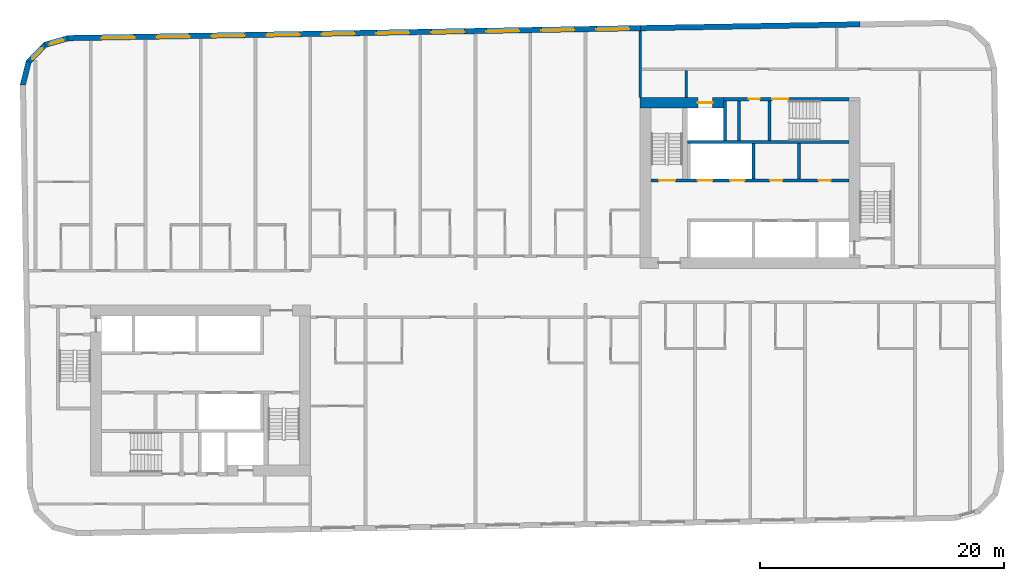
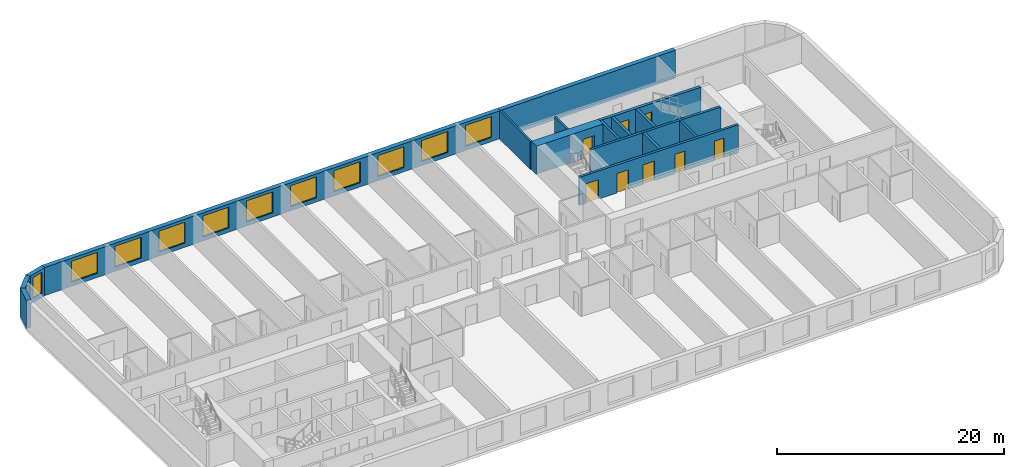
# One storey, part 6 of 11: 16 walls, 12 windows, 8 doors, 20 openings.
"""IFC4 building model written with IfcOpenShell, lengths in metres."""

import ifcopenshell
import ifcopenshell.guid

model = None  # the IFC model being written
_history = None  # IfcOwnerHistory: only IFC2X3 demands one
_inside = {}  # id of a spatial element -> (the spatial element, [elements in it])
_under = {}  # id of a project, library or spatial element -> (it, [spatial elements below it])
_declared = {}  # id of a project -> (the project, [libraries it declares])
_typed = {}  # id of a type object -> (the type object, [elements of that type])
_made_of = {}  # id of a material, layer set ... -> (it, [elements and type objects made of it])


def new_model(schema):
    """Start an empty IFC model of exactly this schema.

    Asked for "IFC4X3", IfcOpenShell would pick the latest addendum, in which some entities
    have other attributes; the version numbers below select the first issue.
    IFC2X3 requires an IfcOwnerHistory on every rooted entity: one is made here for all.
    """
    global model, _history
    if schema == "IFC4X3":
        model = ifcopenshell.file(schema_version=(4, 3, 0, 0))
    else:
        model = ifcopenshell.file(schema=schema)
    _inside.clear()
    _under.clear()
    _declared.clear()
    _typed.clear()
    _made_of.clear()
    _history = None
    if model.schema == "IFC2X3":
        org = make("IfcOrganization", Name="unknown")
        user = make(
            "IfcPersonAndOrganization",
            ThePerson=make("IfcPerson", FamilyName="unknown"),
            TheOrganization=org,
        )
        app = make(
            "IfcApplication",
            ApplicationDeveloper=org,
            Version="unknown",
            ApplicationFullName="unknown",
            ApplicationIdentifier="unknown",
        )
        _history = make(
            "IfcOwnerHistory",
            OwningUser=user,
            OwningApplication=app,
            ChangeAction="ADDED",
            CreationDate=0,
        )
    return model


def make(cls, **values):
    """One entity of the class cls with the attributes given. An attribute that is None is left unset."""
    return model.create_entity(
        cls, **{name: value for name, value in values.items() if value is not None}
    )


def rooted(cls, **values):
    """An entity with a GlobalId (a new one), such as an element, a storey or a relation."""
    return make(cls, GlobalId=ifcopenshell.guid.new(), OwnerHistory=_history, **values)


def si_unit(unit_type, name, prefix=None):
    """IfcSIUnit, for example si_unit("LENGTHUNIT", "METRE", prefix="MILLI")."""
    return make("IfcSIUnit", UnitType=unit_type, Prefix=prefix, Name=name)


def assignment(units):
    """IfcUnitAssignment: the units of a project."""
    return None if units is None else make("IfcUnitAssignment", Units=units)


def point(xyz):
    """IfcCartesianPoint."""
    return None if xyz is None else make("IfcCartesianPoint", Coordinates=xyz)


def direction(xyz):
    """IfcDirection."""
    return None if xyz is None else make("IfcDirection", DirectionRatios=xyz)


def frame(location, z_axis=None, x_axis=None):
    """IfcAxis2Placement3D, a coordinate frame: its origin and axes. An axis left out is left unset."""
    return make(
        "IfcAxis2Placement3D",
        Location=point(location),
        Axis=direction(z_axis),
        RefDirection=direction(x_axis),
    )


def frame_2d(location, x_axis=None):
    """IfcAxis2Placement2D, a coordinate frame in the plane: its origin and x axis."""
    return make(
        "IfcAxis2Placement2D", Location=point(location), RefDirection=direction(x_axis)
    )


def origin():
    """The frame at (0, 0, 0) with its axes left unset."""
    return frame((0.0, 0.0, 0.0))


def place(relative_to, where):
    """IfcLocalPlacement: puts the frame where relative to a parent placement (None: the world)."""
    return make(
        "IfcLocalPlacement", PlacementRelTo=relative_to, RelativePlacement=where
    )


def context(
    kind, dimensions, precision=None, world=None, true_north=None, identifier=None
):
    """IfcGeometricRepresentationContext, for example the 3D "Model" context."""
    return make(
        "IfcGeometricRepresentationContext",
        ContextIdentifier=identifier,
        ContextType=kind,
        CoordinateSpaceDimension=dimensions,
        Precision=precision,
        WorldCoordinateSystem=world,
        TrueNorth=true_north,
    )


def subcontext(parent, identifier, kind, view, scale=None):
    """IfcGeometricRepresentationSubContext, for example "Body" below "Model"."""
    return make(
        "IfcGeometricRepresentationSubContext",
        ContextIdentifier=identifier,
        ContextType=kind,
        ParentContext=parent,
        TargetScale=scale,
        TargetView=view,
    )


def project(units=None, contexts=None):
    """IfcProject with its units and contexts."""
    return rooted(
        "IfcProject",
        Name="project",
        RepresentationContexts=contexts,
        UnitsInContext=assignment(units),
    )


def spatial(cls, under=None, at=None, **own):
    """A site, building, storey or space (cls), placed at a placement, below another one or the project."""
    s = rooted(cls, ObjectPlacement=at, **own)
    if under is not None:
        _under.setdefault(under.id(), (under, []))[1].append(s)
    return s


def polyline(points):
    """IfcPolyline through the points."""
    return make("IfcPolyline", Points=[point(p) for p in points])


def profile(cls, at=None, kind="AREA", **sizes):
    """A parametric profile (cls). Its sizes go by their IFC names, for example OverallWidth=200.0."""
    return make(cls, ProfileType=kind, Position=at, **sizes)


def rectangle(**sizes):
    """IfcRectangleProfileDef."""
    return profile("IfcRectangleProfileDef", **sizes)


def outline(outer, holes=None, kind="AREA"):
    """IfcArbitraryClosedProfileDef: a profile drawn as a closed curve; with holes, ...WithVoids."""
    if holes is None:
        return make("IfcArbitraryClosedProfileDef", ProfileType=kind, OuterCurve=outer)
    return make(
        "IfcArbitraryProfileDefWithVoids",
        ProfileType=kind,
        OuterCurve=outer,
        InnerCurves=holes,
    )


def extrude(swept, where, along, depth):
    """IfcExtrudedAreaSolid: the profile swept, set in the frame where, extruded along a direction by depth."""
    return make(
        "IfcExtrudedAreaSolid",
        SweptArea=swept,
        Position=where,
        ExtrudedDirection=direction(along),
        Depth=depth,
    )


def shape(context_of_items, identifier, shape_type, items):
    """IfcShapeRepresentation: the items that make up one representation, for example the "Body"."""
    return make(
        "IfcShapeRepresentation",
        ContextOfItems=context_of_items,
        RepresentationIdentifier=identifier,
        RepresentationType=shape_type,
        Items=items,
    )


def material(Name=None, Category=None):
    """IfcMaterial."""
    return make("IfcMaterial", Name=Name, Category=Category)


def layer(
    of_material, thickness, ventilated=None, Name=None, Category=None, Priority=None
):
    """IfcMaterialLayer: one layer of a wall or slab, of a material (None: an air gap)."""
    return make(
        "IfcMaterialLayer",
        Material=of_material,
        LayerThickness=thickness,
        IsVentilated=ventilated,
        Name=Name,
        Category=Category,
        Priority=Priority,
    )


def layer_set(layers, Name=None):
    """IfcMaterialLayerSet."""
    return make("IfcMaterialLayerSet", MaterialLayers=layers, LayerSetName=Name)


def made_of(thing, what):
    """Note that an element or type object is made of a material, layer set ...; save() writes the relation."""
    if what is not None:
        _made_of.setdefault(what.id(), (what, []))[1].append(thing)
    return thing


def type_object(cls, material=None, **own):
    """A type object (cls), such as IfcWallType, which elements share."""
    return made_of(rooted(cls, **own), material)


def element(
    cls,
    number,
    at=None,
    inside=None,
    cuts=None,
    type_object=None,
    material=None,
    context=None,
    identifier="Body",
    shape_type=None,
    held_by="IfcProductDefinitionShape",
    body=None,
    shapes=None,
    **own,
):
    """One element of the class cls, such as IfcWall. Its Tag is "e" and its number.

    at: its placement. inside: the storey or other place that contains it. cuts: it is an
    opening in that element (IfcRelVoidsElement). A single representation is given by context,
    identifier, shape_type and body (its items); several are given by shapes. held_by: the class
    of the entity that holds the representations. save() writes the other relations.
    """
    e = rooted(cls, Tag="e%d" % number, ObjectPlacement=at, **own)
    if body is not None:
        shapes = [shape(context, identifier, shape_type, body)]
    if shapes is not None:
        e.Representation = make(held_by, Representations=shapes)
    if inside is not None:
        _inside.setdefault(inside.id(), (inside, []))[1].append(e)
    if cuts is not None:
        rooted(
            "IfcRelVoidsElement", RelatingBuildingElement=cuts, RelatedOpeningElement=e
        )
    if type_object is not None:
        _typed.setdefault(type_object.id(), (type_object, []))[1].append(e)
    return made_of(e, material)


def fill(opening, filler):
    """IfcRelFillsElement: the door or window that sits in an opening."""
    return rooted(
        "IfcRelFillsElement",
        RelatingOpeningElement=opening,
        RelatedBuildingElement=filler,
    )


def aggregate(whole, parts):
    """IfcRelAggregates: a whole, such as a stair, and the parts it consists of."""
    return rooted("IfcRelAggregates", RelatingObject=whole, RelatedObjects=parts)


def save(model, path):
    """Write the relations noted so far, then the file.

    IfcRelAggregates (storeys below a building ...), IfcRelContainedInSpatialStructure (elements
    in a storey), IfcRelDefinesByType, IfcRelAssociatesMaterial and IfcRelDeclares: one each for
    every whole, place, type object, material and project.
    """
    for whole, parts in _under.values():
        aggregate(whole, parts)
    for where, things in _inside.values():
        rooted(
            "IfcRelContainedInSpatialStructure",
            RelatedElements=things,
            RelatingStructure=where,
        )
    for kind, things in _typed.values():
        rooted("IfcRelDefinesByType", RelatedObjects=things, RelatingType=kind)
    for what, things in _made_of.values():
        rooted("IfcRelAssociatesMaterial", RelatedObjects=things, RelatingMaterial=what)
    for by, libraries in _declared.values():
        rooted("IfcRelDeclares", RelatingContext=by, RelatedDefinitions=libraries)
    model.write(path)


model = new_model("IFC4")

# Units and contexts
model_context = context("Model", 3, precision=1e-05, world=origin(), true_north=direction((0.0, 1.0)))
body_context = subcontext(model_context, "Body", "Model", "MODEL_VIEW")
ifc_project = project(units=[si_unit("LENGTHUNIT", "METRE"), si_unit("AREAUNIT", "SQUARE_METRE"), si_unit("VOLUMEUNIT", "CUBIC_METRE"), si_unit("PLANEANGLEUNIT", "RADIAN"), si_unit("MASSUNIT", "GRAM", prefix="KILO")], contexts=[model_context])

# Site, building, storey
site_placement = place(None, origin())
site = spatial("IfcSite", under=ifc_project, at=site_placement, CompositionType="ELEMENT")
building_placement = place(site_placement, origin())
building = spatial("IfcBuilding", under=site, at=building_placement, Name="Kajstack Hotel Tower", CompositionType="ELEMENT")
storey_placement = place(building_placement, frame((0.0, 0.0, 240.800048828125)))
storey = spatial("IfcBuildingStorey", under=building, at=storey_placement, Name="L59", CompositionType="ELEMENT", Elevation=240.800048828125)

# Wall, opening, door
ifc_material_1 = material(Name="Concrete C60/75", Category="concrete")
ifc_layer_1 = layer(ifc_material_1, 0.89990234375)
ifc_layer_set_1 = layer_set([ifc_layer_1], Name="Core wall 900")
wall_type_1 = type_object("IfcWallType", Name="Core wall 900", PredefinedType="SHEAR", material=ifc_layer_set_1)
wall_1_placement = place(storey_placement, frame((13.5, 15.050048828125, 0.0), z_axis=(0.0, 0.0, 1.0), x_axis=(1.0, 0.0, 0.0)))
wall_1 = element("IfcWall", 1, at=wall_1_placement, inside=storey, type_object=wall_type_1, Name="Core wall E RS", PredefinedType="SHEAR", context=body_context, shape_type="SweptSolid", body=[
    extrude(rectangle(XDim=6.800048828125, YDim=0.89990234375, at=frame_2d((3.39990234375, 0.0))), origin(), (0.0, 0.0, 1.0), 3.02001953125),
])
opening_1_placement = place(wall_1_placement, frame((4.72509765625, 0.0, 0.0)))
opening_1 = element("IfcOpeningElement", 2, at=opening_1_placement, cuts=wall_1, Name="Opening LD-SV2", PredefinedType="OPENING", context=body_context, shape_type="SweptSolid", body=[
    extrude(rectangle(XDim=1.199951171875, YDim=2.10009765625, at=frame_2d((0.60009765625, 1.050048828125))), frame((0.0, 0.4599609375, 0.0), z_axis=(0.0, -1.0, 0.0), x_axis=(1.0, 0.0, 0.0)), (0.0, 0.0, 1.0), 0.919921875),
])
ifc_material_2 = material(Name="Stainless steel", Category="steel")
door_type_1 = type_object("IfcDoorType", Name="Lift landing door 1200", OperationType="SLIDING_TO_LEFT", PredefinedType="DOOR", material=ifc_material_2)
door_1_placement = place(opening_1_placement, origin())
door_1 = element("IfcDoor", 3, at=door_1_placement, inside=storey, type_object=door_type_1, Name="Landing door SV2", OperationType="SLIDING_TO_LEFT", OverallHeight=2.10009765625, OverallWidth=1.199951171875, PredefinedType="DOOR", context=body_context, shape_type="SweptSolid", body=[
    extrude(rectangle(XDim=1.199951171875, YDim=2.10009765625, at=frame_2d((0.60009765625, 1.050048828125))), frame((0.0, 0.02490234375, 0.0), z_axis=(0.0, -1.0, 0.0), x_axis=(1.0, 0.0, 0.0)), (0.0, 0.0, 1.0), 0.050048828125),
])
fill(opening_1, door_1)

# Walls
ifc_material_3 = material(Name="Twin-frame gypsum board on steel studs, mineral wool", Category="steel")
ifc_layer_2 = layer(ifc_material_3, 0.199951171875)
ifc_layer_set_2 = layer_set([ifc_layer_2], Name="Demising wall 200")
wall_type_2 = type_object("IfcWallType", Name="Demising wall 200", PredefinedType="PARTITIONING", material=ifc_layer_set_2)
wall_2_placement = place(storey_placement, frame((13.5, 15.5, 0.0), z_axis=(0.0, 0.0, 1.0), x_axis=(0.0, 1.0, 0.0)))
element("IfcWall", 4, at=wall_2_placement, inside=storey, type_object=wall_type_2, Name="G-wall-L59-001", PredefinedType="PARTITIONING", context=body_context, shape_type="SweptSolid", body=[
    extrude(rectangle(XDim=5.43603515625, YDim=0.199951171875, at=frame_2d((2.718017578125, 0.0))), origin(), (0.0, 0.0, 1.0), 3.02001953125),
])
ifc_material_4 = material(Name="Concrete C40/50", Category="concrete")
ifc_layer_3 = layer(ifc_material_4, 0.449951171875)
ifc_layer_set_3 = layer_set([ifc_layer_3], Name="EW-CORE")
wall_type_3 = type_object("IfcWallType", Name="EW-CORE", PredefinedType="SOLIDWALL", material=ifc_layer_set_3)
wall_3_placement = place(storey_placement, frame((31.50390625, 21.4755859375, 0.0), z_axis=(0.0, 0.0, 1.0), x_axis=(-0.999847677887, -0.017453395744, 0.0)))
element("IfcWall", 5, at=wall_3_placement, inside=storey, type_object=wall_type_3, Name="E-wall-L59-12-01", PredefinedType="SOLIDWALL", context=body_context, shape_type="SweptSolid", body=[
    extrude(rectangle(XDim=18.002685546875, YDim=0.449951171875, at=frame_2d((9.00146484375, 0.0))), origin(), (0.0, 0.0, 1.0), 3.02001953125),
])

# Wall, openings, windows
ifc_material_5 = material(Name="Terracotta-faced brick masonry", Category="masonry")
ifc_layer_4 = layer(ifc_material_5, 0.449951171875)
ifc_layer_set_4 = layer_set([ifc_layer_4], Name="EW-TERRA")
wall_type_4 = type_object("IfcWallType", Name="EW-TERRA", PredefinedType="SOLIDWALL", material=ifc_layer_set_4)
wall_4_placement = place(storey_placement, frame((13.50390625, 21.161376953125, 0.0), z_axis=(0.0, 0.0, 1.0), x_axis=(-0.999847763257, -0.017448504532, 0.0)))
wall_4 = element("IfcWall", 6, at=wall_4_placement, inside=storey, type_object=wall_type_4, Name="E-wall-L59-12-02", PredefinedType="SOLIDWALL", context=body_context, shape_type="SweptSolid", body=[
    extrude(rectangle(XDim=46.859375, YDim=0.449951171875, at=frame_2d((23.4296875, 0.0))), origin(), (0.0, 0.0, 1.0), 3.02001953125),
])
opening_2_placement = place(wall_4_placement, frame((0.900390625, 0.0, 0.449951171875)))
opening_2 = element("IfcOpeningElement", 7, at=opening_2_placement, cuts=wall_4, Name="Opening W1", PredefinedType="OPENING", context=body_context, shape_type="SweptSolid", body=[
    extrude(rectangle(XDim=2.699951171875, YDim=2.25, at=frame_2d((1.35009765625, 1.125))), frame((0.0, 0.23486328125, 0.0), z_axis=(0.0, -1.0, 0.0), x_axis=(1.0, 0.0, 0.0)), (0.0, 0.0, 1.0), 0.469970703125),
])
opening_3_placement = place(wall_4_placement, frame((5.401123046875, 0.0, 0.449951171875)))
opening_3 = element("IfcOpeningElement", 8, at=opening_3_placement, cuts=wall_4, Name="Opening W1", PredefinedType="OPENING", context=body_context, shape_type="SweptSolid", body=[
    extrude(rectangle(XDim=2.699951171875, YDim=2.25, at=frame_2d((1.35009765625, 1.125))), frame((0.0, 0.23486328125, 0.0), z_axis=(0.0, -1.0, 0.0), x_axis=(1.0, 0.0, 0.0)), (0.0, 0.0, 1.0), 0.469970703125),
])
opening_4_placement = place(wall_4_placement, frame((9.90185546875, 0.0, 0.449951171875)))
opening_4 = element("IfcOpeningElement", 9, at=opening_4_placement, cuts=wall_4, Name="Opening W1", PredefinedType="OPENING", context=body_context, shape_type="SweptSolid", body=[
    extrude(rectangle(XDim=2.699951171875, YDim=2.25, at=frame_2d((1.35009765625, 1.125))), frame((0.0, 0.23486328125, 0.0), z_axis=(0.0, -1.0, 0.0), x_axis=(1.0, 0.0, 0.0)), (0.0, 0.0, 1.0), 0.469970703125),
])
opening_5_placement = place(wall_4_placement, frame((14.40234375, 0.0, 0.449951171875)))
opening_5 = element("IfcOpeningElement", 10, at=opening_5_placement, cuts=wall_4, Name="Opening W1", PredefinedType="OPENING", context=body_context, shape_type="SweptSolid", body=[
    extrude(rectangle(XDim=2.699951171875, YDim=2.25, at=frame_2d((1.35009765625, 1.125))), frame((0.0, 0.23486328125, 0.0), z_axis=(0.0, -1.0, 0.0), x_axis=(1.0, 0.0, 0.0)), (0.0, 0.0, 1.0), 0.469970703125),
])
opening_6_placement = place(wall_4_placement, frame((18.9033203125, 0.0, 0.449951171875)))
opening_6 = element("IfcOpeningElement", 11, at=opening_6_placement, cuts=wall_4, Name="Opening W1", PredefinedType="OPENING", context=body_context, shape_type="SweptSolid", body=[
    extrude(rectangle(XDim=2.699951171875, YDim=2.25, at=frame_2d((1.35009765625, 1.125))), frame((0.0, 0.23486328125, 0.0), z_axis=(0.0, -1.0, 0.0), x_axis=(1.0, 0.0, 0.0)), (0.0, 0.0, 1.0), 0.469970703125),
])
opening_7_placement = place(wall_4_placement, frame((23.40380859375, 0.0, 0.449951171875)))
opening_7 = element("IfcOpeningElement", 12, at=opening_7_placement, cuts=wall_4, Name="Opening W1", PredefinedType="OPENING", context=body_context, shape_type="SweptSolid", body=[
    extrude(rectangle(XDim=2.699951171875, YDim=2.25, at=frame_2d((1.35009765625, 1.125))), frame((0.0, 0.23486328125, 0.0), z_axis=(0.0, -1.0, 0.0), x_axis=(1.0, 0.0, 0.0)), (0.0, 0.0, 1.0), 0.469970703125),
])
opening_8_placement = place(wall_4_placement, frame((27.904296875, 0.0, 0.449951171875)))
opening_8 = element("IfcOpeningElement", 13, at=opening_8_placement, cuts=wall_4, Name="Opening W1", PredefinedType="OPENING", context=body_context, shape_type="SweptSolid", body=[
    extrude(rectangle(XDim=2.699951171875, YDim=2.25, at=frame_2d((1.35009765625, 1.125))), frame((0.0, 0.23486328125, 0.0), z_axis=(0.0, -1.0, 0.0), x_axis=(1.0, 0.0, 0.0)), (0.0, 0.0, 1.0), 0.469970703125),
])
opening_9_placement = place(wall_4_placement, frame((32.4052734375, 0.0, 0.449951171875)))
opening_9 = element("IfcOpeningElement", 14, at=opening_9_placement, cuts=wall_4, Name="Opening W1", PredefinedType="OPENING", context=body_context, shape_type="SweptSolid", body=[
    extrude(rectangle(XDim=2.699951171875, YDim=2.25, at=frame_2d((1.35009765625, 1.125))), frame((0.0, 0.23486328125, 0.0), z_axis=(0.0, -1.0, 0.0), x_axis=(1.0, 0.0, 0.0)), (0.0, 0.0, 1.0), 0.469970703125),
])
opening_10_placement = place(wall_4_placement, frame((36.906005859375, 0.0, 0.449951171875)))
opening_10 = element("IfcOpeningElement", 15, at=opening_10_placement, cuts=wall_4, Name="Opening W1", PredefinedType="OPENING", context=body_context, shape_type="SweptSolid", body=[
    extrude(rectangle(XDim=2.699951171875, YDim=2.25, at=frame_2d((1.35009765625, 1.125))), frame((0.0, 0.23486328125, 0.0), z_axis=(0.0, -1.0, 0.0), x_axis=(1.0, 0.0, 0.0)), (0.0, 0.0, 1.0), 0.469970703125),
])
opening_11_placement = place(wall_4_placement, frame((41.406494140625, 0.0, 0.449951171875)))
opening_11 = element("IfcOpeningElement", 16, at=opening_11_placement, cuts=wall_4, Name="Opening W1", PredefinedType="OPENING", context=body_context, shape_type="SweptSolid", body=[
    extrude(rectangle(XDim=2.699951171875, YDim=2.25, at=frame_2d((1.35009765625, 1.125))), frame((0.0, 0.23486328125, 0.0), z_axis=(0.0, -1.0, 0.0), x_axis=(1.0, 0.0, 0.0)), (0.0, 0.0, 1.0), 0.469970703125),
])
ifc_material_6 = material(Name="Timber-aluminium window, triple glazed", Category="wood")
window_type_1 = type_object("IfcWindowType", Name="WG1", PartitioningType="SINGLE_PANEL", PredefinedType="WINDOW", material=ifc_material_6)
window_1_placement = place(opening_2_placement, origin())
window_1 = element("IfcWindow", 17, at=window_1_placement, inside=storey, type_object=window_type_1, Name="Window W1 L59-12", OverallHeight=2.25, OverallWidth=2.699951171875, PartitioningType="SINGLE_PANEL", PredefinedType="WINDOW", context=body_context, shape_type="SweptSolid", body=[
    extrude(rectangle(XDim=2.699951171875, YDim=2.25, at=frame_2d((1.35009765625, 1.125))), frame((0.0, 0.090087890625, 0.0), z_axis=(0.0, -1.0, 0.0), x_axis=(1.0, 0.0, 0.0)), (0.0, 0.0, 1.0), 0.06005859375),
])
fill(opening_2, window_1)
window_2_placement = place(opening_3_placement, origin())
window_2 = element("IfcWindow", 18, at=window_2_placement, inside=storey, type_object=window_type_1, Name="Window W1 L59-12", OverallHeight=2.25, OverallWidth=2.699951171875, PartitioningType="SINGLE_PANEL", PredefinedType="WINDOW", context=body_context, shape_type="SweptSolid", body=[
    extrude(rectangle(XDim=2.699951171875, YDim=2.25, at=frame_2d((1.35009765625, 1.125))), frame((0.0, 0.090087890625, 0.0), z_axis=(0.0, -1.0, 0.0), x_axis=(1.0, 0.0, 0.0)), (0.0, 0.0, 1.0), 0.06005859375),
])
fill(opening_3, window_2)
window_3_placement = place(opening_4_placement, origin())
window_3 = element("IfcWindow", 19, at=window_3_placement, inside=storey, type_object=window_type_1, Name="Window W1 L59-12", OverallHeight=2.25, OverallWidth=2.699951171875, PartitioningType="SINGLE_PANEL", PredefinedType="WINDOW", context=body_context, shape_type="SweptSolid", body=[
    extrude(rectangle(XDim=2.699951171875, YDim=2.25, at=frame_2d((1.35009765625, 1.125))), frame((0.0, 0.090087890625, 0.0), z_axis=(0.0, -1.0, 0.0), x_axis=(1.0, 0.0, 0.0)), (0.0, 0.0, 1.0), 0.06005859375),
])
fill(opening_4, window_3)
window_4_placement = place(opening_5_placement, origin())
window_4 = element("IfcWindow", 20, at=window_4_placement, inside=storey, type_object=window_type_1, Name="Window W1 L59-12", OverallHeight=2.25, OverallWidth=2.699951171875, PartitioningType="SINGLE_PANEL", PredefinedType="WINDOW", context=body_context, shape_type="SweptSolid", body=[
    extrude(rectangle(XDim=2.699951171875, YDim=2.25, at=frame_2d((1.35009765625, 1.125))), frame((0.0, 0.090087890625, 0.0), z_axis=(0.0, -1.0, 0.0), x_axis=(1.0, 0.0, 0.0)), (0.0, 0.0, 1.0), 0.06005859375),
])
fill(opening_5, window_4)
window_5_placement = place(opening_6_placement, origin())
window_5 = element("IfcWindow", 21, at=window_5_placement, inside=storey, type_object=window_type_1, Name="Window W1 L59-12", OverallHeight=2.25, OverallWidth=2.699951171875, PartitioningType="SINGLE_PANEL", PredefinedType="WINDOW", context=body_context, shape_type="SweptSolid", body=[
    extrude(rectangle(XDim=2.699951171875, YDim=2.25, at=frame_2d((1.35009765625, 1.125))), frame((0.0, 0.090087890625, 0.0), z_axis=(0.0, -1.0, 0.0), x_axis=(1.0, 0.0, 0.0)), (0.0, 0.0, 1.0), 0.06005859375),
])
fill(opening_6, window_5)
window_6_placement = place(opening_7_placement, origin())
window_6 = element("IfcWindow", 22, at=window_6_placement, inside=storey, type_object=window_type_1, Name="Window W1 L59-12", OverallHeight=2.25, OverallWidth=2.699951171875, PartitioningType="SINGLE_PANEL", PredefinedType="WINDOW", context=body_context, shape_type="SweptSolid", body=[
    extrude(rectangle(XDim=2.699951171875, YDim=2.25, at=frame_2d((1.35009765625, 1.125))), frame((0.0, 0.090087890625, 0.0), z_axis=(0.0, -1.0, 0.0), x_axis=(1.0, 0.0, 0.0)), (0.0, 0.0, 1.0), 0.06005859375),
])
fill(opening_7, window_6)
window_7_placement = place(opening_8_placement, origin())
window_7 = element("IfcWindow", 23, at=window_7_placement, inside=storey, type_object=window_type_1, Name="Window W1 L59-12", OverallHeight=2.25, OverallWidth=2.699951171875, PartitioningType="SINGLE_PANEL", PredefinedType="WINDOW", context=body_context, shape_type="SweptSolid", body=[
    extrude(rectangle(XDim=2.699951171875, YDim=2.25, at=frame_2d((1.35009765625, 1.125))), frame((0.0, 0.090087890625, 0.0), z_axis=(0.0, -1.0, 0.0), x_axis=(1.0, 0.0, 0.0)), (0.0, 0.0, 1.0), 0.06005859375),
])
fill(opening_8, window_7)
window_8_placement = place(opening_9_placement, origin())
window_8 = element("IfcWindow", 24, at=window_8_placement, inside=storey, type_object=window_type_1, Name="Window W1 L59-12", OverallHeight=2.25, OverallWidth=2.699951171875, PartitioningType="SINGLE_PANEL", PredefinedType="WINDOW", context=body_context, shape_type="SweptSolid", body=[
    extrude(rectangle(XDim=2.699951171875, YDim=2.25, at=frame_2d((1.35009765625, 1.125))), frame((0.0, 0.090087890625, 0.0), z_axis=(0.0, -1.0, 0.0), x_axis=(1.0, 0.0, 0.0)), (0.0, 0.0, 1.0), 0.06005859375),
])
fill(opening_9, window_8)
window_9_placement = place(opening_10_placement, origin())
window_9 = element("IfcWindow", 25, at=window_9_placement, inside=storey, type_object=window_type_1, Name="Window W1 L59-12", OverallHeight=2.25, OverallWidth=2.699951171875, PartitioningType="SINGLE_PANEL", PredefinedType="WINDOW", context=body_context, shape_type="SweptSolid", body=[
    extrude(rectangle(XDim=2.699951171875, YDim=2.25, at=frame_2d((1.35009765625, 1.125))), frame((0.0, 0.090087890625, 0.0), z_axis=(0.0, -1.0, 0.0), x_axis=(1.0, 0.0, 0.0)), (0.0, 0.0, 1.0), 0.06005859375),
])
fill(opening_10, window_9)
window_10_placement = place(opening_11_placement, origin())
window_10 = element("IfcWindow", 26, at=window_10_placement, inside=storey, type_object=window_type_1, Name="Window W1 L59-12", OverallHeight=2.25, OverallWidth=2.699951171875, PartitioningType="SINGLE_PANEL", PredefinedType="WINDOW", context=body_context, shape_type="SweptSolid", body=[
    extrude(rectangle(XDim=2.699951171875, YDim=2.25, at=frame_2d((1.35009765625, 1.125))), frame((0.0, 0.090087890625, 0.0), z_axis=(0.0, -1.0, 0.0), x_axis=(1.0, 0.0, 0.0)), (0.0, 0.0, 1.0), 0.06005859375),
])
fill(opening_11, window_10)

# Wall, opening, window
wall_5_placement = place(storey_placement, frame((-33.290283203125, 20.352294921875, 0.0), z_axis=(0.0, 0.0, 1.0), x_axis=(-0.961247584925, -0.275686562016, 0.0)))
wall_5 = element("IfcWall", 27, at=wall_5_placement, inside=storey, type_object=wall_type_4, Name="E-wall-L59-13-00", PredefinedType="SOLIDWALL", context=body_context, shape_type="SweptSolid", body=[
    extrude(outline(polyline([(0.0, -0.22509765625), (2.070556640625, -0.22509765625), (1.949951171875, 0.224853515625), (0.12060546875, 0.224853515625), (0.0, -0.22509765625)])), origin(), (0.0, 0.0, 1.0), 3.02001953125),
])
opening_12_placement = place(wall_5_placement, frame((0.435302734375, 0.0, 0.449951171875)))
opening_12 = element("IfcOpeningElement", 28, at=opening_12_placement, cuts=wall_5, Name="Opening W3", PredefinedType="OPENING", context=body_context, shape_type="SweptSolid", body=[
    extrude(rectangle(XDim=1.199951171875, YDim=2.25, at=frame_2d((0.60009765625, 1.125))), frame((0.0, 0.23486328125, 0.0), z_axis=(0.0, -1.0, 0.0), x_axis=(1.0, 0.0, 0.0)), (0.0, 0.0, 1.0), 0.469970703125),
])
window_type_2 = type_object("IfcWindowType", Name="WG3", PartitioningType="SINGLE_PANEL", PredefinedType="WINDOW", material=ifc_material_6)
window_11_placement = place(opening_12_placement, origin())
window_11 = element("IfcWindow", 29, at=window_11_placement, inside=storey, type_object=window_type_2, Name="Window W3 L59-13", OverallHeight=2.25, OverallWidth=1.199951171875, PartitioningType="SINGLE_PANEL", PredefinedType="WINDOW", context=body_context, shape_type="SweptSolid", body=[
    extrude(rectangle(XDim=1.199951171875, YDim=2.25, at=frame_2d((0.60009765625, 1.125))), frame((0.0, 0.090087890625, 0.0), z_axis=(0.0, -1.0, 0.0), x_axis=(1.0, 0.0, 0.0)), (0.0, 0.0, 1.0), 0.06005859375),
])
fill(opening_12, window_11)

wall_6_placement = place(storey_placement, frame((-35.1806640625, 19.841552734375, 0.0), z_axis=(0.0, 0.0, 1.0), x_axis=(-0.694678672846, -0.719320193998, 0.0)))
wall_6 = element("IfcWall", 30, at=wall_6_placement, inside=storey, type_object=wall_type_4, Name="E-wall-L59-14-00", PredefinedType="SOLIDWALL", context=body_context, shape_type="SweptSolid", body=[
    extrude(outline(polyline([(0.0, -0.22509765625), (2.07080078125, -0.22509765625), (1.9501953125, 0.224853515625), (0.12060546875, 0.224853515625), (0.0, -0.22509765625)])), origin(), (0.0, 0.0, 1.0), 3.02001953125),
])
opening_13_placement = place(wall_6_placement, frame((0.435302734375, 0.0, 0.449951171875)))
opening_13 = element("IfcOpeningElement", 31, at=opening_13_placement, cuts=wall_6, Name="Opening W3", PredefinedType="OPENING", context=body_context, shape_type="SweptSolid", body=[
    extrude(rectangle(XDim=1.199951171875, YDim=2.25, at=frame_2d((0.60009765625, 1.125))), frame((0.0, 0.23486328125, 0.0), z_axis=(0.0, -1.0, 0.0), x_axis=(1.0, 0.0, 0.0)), (0.0, 0.0, 1.0), 0.469970703125),
])
window_12_placement = place(opening_13_placement, origin())
window_12 = element("IfcWindow", 32, at=window_12_placement, inside=storey, type_object=window_type_2, Name="Window W3 L59-14", OverallHeight=2.25, OverallWidth=1.199951171875, PartitioningType="SINGLE_PANEL", PredefinedType="WINDOW", context=body_context, shape_type="SweptSolid", body=[
    extrude(rectangle(XDim=1.199951171875, YDim=2.25, at=frame_2d((0.60009765625, 1.125))), frame((0.0, 0.090087890625, 0.0), z_axis=(0.0, -1.0, 0.0), x_axis=(1.0, 0.0, 0.0)), (0.0, 0.0, 1.0), 0.06005859375),
])
fill(opening_13, window_12)

# Walls
wall_7_placement = place(storey_placement, frame((-36.562744140625, 18.453857421875, 0.0), z_axis=(0.0, 0.0, 1.0), x_axis=(-0.241869623482, -0.970308757683, 0.0)))
element("IfcWall", 33, at=wall_7_placement, inside=storey, type_object=wall_type_4, Name="E-wall-L59-15-00", PredefinedType="SOLIDWALL", context=body_context, shape_type="SweptSolid", body=[
    extrude(outline(polyline([(-0.000244140625, -0.224853515625), (2.0703125, -0.22509765625), (1.94970703125, 0.224853515625), (0.120361328125, 0.22509765625), (-0.000244140625, -0.224853515625)])), origin(), (0.0, 0.0, 1.0), 3.02001953125),
])
ifc_material_7 = material(Name="Concrete C50/60", Category="concrete")
ifc_layer_5 = layer(ifc_material_7, 0.300048828125)
ifc_layer_set_5 = layer_set([ifc_layer_5], Name="Hoistway divider wall 300")
wall_type_5 = type_object("IfcWallType", Name="Hoistway divider wall 300", PredefinedType="SHEAR", material=ifc_layer_set_5)
wall_8_placement = place(storey_placement, frame((22.77490234375, 8.800048828125, 0.0), z_axis=(0.0, 0.0, 1.0), x_axis=(0.0, 1.0, 0.0)))
element("IfcWall", 34, at=wall_8_placement, inside=storey, type_object=wall_type_5, Name="Core wall E BP2", PredefinedType="SHEAR", context=body_context, shape_type="SweptSolid", body=[
    extrude(rectangle(XDim=2.89990234375, YDim=0.25, at=frame_2d((1.449951171875, 0.0))), origin(), (0.0, 0.0, 1.0), 3.02001953125),
])
ifc_material_8 = material(Name="Concrete block masonry", Category="masonry")
ifc_layer_6 = layer(ifc_material_8, 0.25)
ifc_layer_set_6 = layer_set([ifc_layer_6], Name="Riser partition 250")
wall_type_6 = type_object("IfcWallType", Name="Riser partition 250", PredefinedType="PARTITIONING", material=ifc_layer_set_6)
wall_9_placement = place(storey_placement, frame((26.5, 8.800048828125, 0.0), z_axis=(0.0, 0.0, 1.0), x_axis=(0.0, 1.0, 0.0)))
element("IfcWall", 35, at=wall_9_placement, inside=storey, type_object=wall_type_6, Name="Partition E BF0", PredefinedType="PARTITIONING", context=body_context, shape_type="SweptSolid", body=[
    extrude(rectangle(XDim=2.89990234375, YDim=0.25, at=frame_2d((1.449951171875, 0.0))), origin(), (0.0, 0.0, 1.0), 3.02001953125),
])
wall_10_placement = place(storey_placement, frame((21.60009765625, 11.949951171875, 0.0), z_axis=(0.0, 0.0, 1.0), x_axis=(0.0, 1.0, 0.0)))
element("IfcWall", 36, at=wall_10_placement, inside=storey, type_object=wall_type_6, Name="Partition E SZ0", PredefinedType="PARTITIONING", context=body_context, shape_type="SweptSolid", body=[
    extrude(rectangle(XDim=3.25, YDim=0.25, at=frame_2d((1.625, 0.0))), origin(), (0.0, 0.0, 1.0), 3.02001953125),
])
ifc_material_9 = material(Name="Gypsum board on steel studs, mineral wool", Category="steel")
ifc_layer_7 = layer(ifc_material_9, 0.199951171875)
ifc_layer_set_7 = layer_set([ifc_layer_7], Name="Service partition 200")
wall_type_7 = type_object("IfcWallType", Name="Service partition 200", PredefinedType="PARTITIONING", material=ifc_layer_set_7)
wall_11_placement = place(storey_placement, frame((17.25, 15.5, 0.0), z_axis=(0.0, 0.0, 1.0), x_axis=(0.0, 1.0, 0.0)))
element("IfcWall", 37, at=wall_11_placement, inside=storey, type_object=wall_type_7, Name="Partition E SCE", PredefinedType="PARTITIONING", context=body_context, shape_type="SweptSolid", body=[
    extrude(rectangle(XDim=2.199951171875, YDim=0.199951171875, at=frame_2d((1.10009765625, 0.0))), origin(), (0.0, 0.0, 1.0), 3.02001953125),
])

# Wall, openings, doors
ifc_layer_8 = layer(ifc_material_7, 0.25)
ifc_layer_set_8 = layer_set([ifc_layer_8], Name="Shaft wall 250")
wall_type_8 = type_object("IfcWallType", Name="Shaft wall 250", PredefinedType="SHEAR", material=ifc_layer_set_8)
wall_12_placement = place(storey_placement, frame((20.300048828125, 15.35009765625, 0.0), z_axis=(0.0, 0.0, 1.0), x_axis=(1.0, 0.0, 0.0)))
wall_12 = element("IfcWall", 38, at=wall_12_placement, inside=storey, type_object=wall_type_8, Name="Core wall E RSS", PredefinedType="SHEAR", context=body_context, shape_type="SweptSolid", body=[
    extrude(rectangle(XDim=10.300048828125, YDim=0.300048828125, at=frame_2d((5.14990234375, 0.0))), origin(), (0.0, 0.0, 1.0), 3.02001953125),
])
opening_14_placement = place(wall_12_placement, frame((4.0, 0.0, 0.0)))
opening_14 = element("IfcOpeningElement", 39, at=opening_14_placement, cuts=wall_12, Name="Opening 59E12", PredefinedType="OPENING", context=body_context, shape_type="SweptSolid", body=[
    extrude(rectangle(XDim=1.300048828125, YDim=2.10009765625, at=frame_2d((0.64990234375, 1.050048828125))), frame((0.0, 0.159912109375, 0.0), z_axis=(0.0, -1.0, 0.0), x_axis=(1.0, 0.0, 0.0)), (0.0, 0.0, 1.0), 0.320068359375),
])
opening_15_placement = place(wall_12_placement, frame((2.08740234375, 0.0, 0.0)))
opening_15 = element("IfcOpeningElement", 40, at=opening_15_placement, cuts=wall_12, Name="Opening 59E13", PredefinedType="OPENING", context=body_context, shape_type="SweptSolid", body=[
    extrude(rectangle(XDim=0.89990234375, YDim=2.10009765625, at=frame_2d((0.449951171875, 1.050048828125))), frame((0.0, 0.159912109375, 0.0), z_axis=(0.0, -1.0, 0.0), x_axis=(1.0, 0.0, 0.0)), (0.0, 0.0, 1.0), 0.320068359375),
])
ifc_material_10 = material(Name="Timber leaf, fire-rated", Category="wood")
door_type_2 = type_object("IfcDoorType", Name="Service door 900", OperationType="SINGLE_SWING_LEFT", PredefinedType="DOOR", material=ifc_material_10)
door_2_placement = place(opening_15_placement, origin())
door_2 = element("IfcDoor", 41, at=door_2_placement, inside=storey, type_object=door_type_2, Name="Door 59E13", OperationType="SINGLE_SWING_RIGHT", OverallHeight=2.10009765625, OverallWidth=0.89990234375, PredefinedType="DOOR", context=body_context, shape_type="SweptSolid", body=[
    extrude(rectangle(XDim=0.89990234375, YDim=2.10009765625, at=frame_2d((0.449951171875, 1.050048828125))), frame((0.0, 0.02490234375, 0.0), z_axis=(0.0, -1.0, 0.0), x_axis=(1.0, 0.0, 0.0)), (0.0, 0.0, 1.0), 0.050048828125),
])
fill(opening_15, door_2)
ifc_material_11 = material(Name="Steel leaf, fire-rated", Category="steel")
door_type_3 = type_object("IfcDoorType", Name="Stair door 1300", OperationType="SINGLE_SWING_LEFT", PredefinedType="DOOR", material=ifc_material_11)
door_3_placement = place(opening_14_placement, origin())
door_3 = element("IfcDoor", 42, at=door_3_placement, inside=storey, type_object=door_type_3, Name="Door 59E12", OperationType="SINGLE_SWING_LEFT", OverallHeight=2.10009765625, OverallWidth=1.300048828125, PredefinedType="DOOR", context=body_context, shape_type="SweptSolid", body=[
    extrude(rectangle(XDim=1.300048828125, YDim=2.10009765625, at=frame_2d((0.64990234375, 1.050048828125))), frame((0.0, 0.02490234375, 0.0), z_axis=(0.0, -1.0, 0.0), x_axis=(1.0, 0.0, 0.0)), (0.0, 0.0, 1.0), 0.050048828125),
])
fill(opening_14, door_3)

wall_13_placement = place(storey_placement, frame((14.39990234375, 8.675048828125, 0.0), z_axis=(0.0, 0.0, 1.0), x_axis=(1.0, 0.0, 0.0)))
wall_13 = element("IfcWall", 43, at=wall_13_placement, inside=storey, type_object=wall_type_8, Name="Core wall E FB", PredefinedType="SHEAR", context=body_context, shape_type="SweptSolid", body=[
    extrude(rectangle(XDim=16.2001953125, YDim=0.25, at=frame_2d((8.10009765625, 0.0))), origin(), (0.0, 0.0, 1.0), 3.02001953125),
])
opening_16_placement = place(wall_13_placement, frame((6.449951171875, 0.0, 0.0)))
opening_16 = element("IfcOpeningElement", 44, at=opening_16_placement, cuts=wall_13, Name="Opening LD-MR5", PredefinedType="OPENING", context=body_context, shape_type="SweptSolid", body=[
    extrude(rectangle(XDim=1.199951171875, YDim=2.10009765625, at=frame_2d((0.60009765625, 1.050048828125))), frame((0.0, 0.135009765625, 0.0), z_axis=(0.0, -1.0, 0.0), x_axis=(1.0, 0.0, 0.0)), (0.0, 0.0, 1.0), 0.27001953125),
])
opening_17_placement = place(wall_13_placement, frame((3.800048828125, 0.0, 0.0)))
opening_17 = element("IfcOpeningElement", 45, at=opening_17_placement, cuts=wall_13, Name="Opening LD-MR6", PredefinedType="OPENING", context=body_context, shape_type="SweptSolid", body=[
    extrude(rectangle(XDim=1.199951171875, YDim=2.10009765625, at=frame_2d((0.60009765625, 1.050048828125))), frame((0.0, 0.135009765625, 0.0), z_axis=(0.0, -1.0, 0.0), x_axis=(1.0, 0.0, 0.0)), (0.0, 0.0, 1.0), 0.27001953125),
])
opening_18_placement = place(wall_13_placement, frame((0.64990234375, 0.0, 0.0)))
opening_18 = element("IfcOpeningElement", 46, at=opening_18_placement, cuts=wall_13, Name="Opening 59E11", PredefinedType="OPENING", context=body_context, shape_type="SweptSolid", body=[
    extrude(rectangle(XDim=1.300048828125, YDim=2.10009765625, at=frame_2d((0.64990234375, 1.050048828125))), frame((0.0, 0.135009765625, 0.0), z_axis=(0.0, -1.0, 0.0), x_axis=(1.0, 0.0, 0.0)), (0.0, 0.0, 1.0), 0.27001953125),
])
opening_19_placement = place(wall_13_placement, frame((13.71240234375, 0.0, 0.0)))
opening_19 = element("IfcOpeningElement", 47, at=opening_19_placement, cuts=wall_13, Name="Opening 59E14", PredefinedType="OPENING", context=body_context, shape_type="SweptSolid", body=[
    extrude(rectangle(XDim=1.0, YDim=2.10009765625, at=frame_2d((0.5, 1.050048828125))), frame((0.0, 0.135009765625, 0.0), z_axis=(0.0, -1.0, 0.0), x_axis=(1.0, 0.0, 0.0)), (0.0, 0.0, 1.0), 0.27001953125),
])
opening_20_placement = place(wall_13_placement, frame((9.737548828125, 0.0, 0.0)))
opening_20 = element("IfcOpeningElement", 48, at=opening_20_placement, cuts=wall_13, Name="Opening 59E15", PredefinedType="OPENING", context=body_context, shape_type="SweptSolid", body=[
    extrude(rectangle(XDim=1.0, YDim=2.10009765625, at=frame_2d((0.5, 1.050048828125))), frame((0.0, 0.135009765625, 0.0), z_axis=(0.0, -1.0, 0.0), x_axis=(1.0, 0.0, 0.0)), (0.0, 0.0, 1.0), 0.27001953125),
])
door_4_placement = place(opening_16_placement, origin())
door_4 = element("IfcDoor", 49, at=door_4_placement, inside=storey, type_object=door_type_1, Name="Landing door MR5", OperationType="SLIDING_TO_LEFT", OverallHeight=2.10009765625, OverallWidth=1.199951171875, PredefinedType="DOOR", context=body_context, shape_type="SweptSolid", body=[
    extrude(rectangle(XDim=1.199951171875, YDim=2.10009765625, at=frame_2d((0.60009765625, 1.050048828125))), frame((0.0, 0.02490234375, 0.0), z_axis=(0.0, -1.0, 0.0), x_axis=(1.0, 0.0, 0.0)), (0.0, 0.0, 1.0), 0.050048828125),
])
fill(opening_16, door_4)
door_5_placement = place(opening_17_placement, origin())
door_5 = element("IfcDoor", 50, at=door_5_placement, inside=storey, type_object=door_type_1, Name="Landing door MR6", OperationType="SLIDING_TO_RIGHT", OverallHeight=2.10009765625, OverallWidth=1.199951171875, PredefinedType="DOOR", context=body_context, shape_type="SweptSolid", body=[
    extrude(rectangle(XDim=1.199951171875, YDim=2.10009765625, at=frame_2d((0.60009765625, 1.050048828125))), frame((0.0, 0.02490234375, 0.0), z_axis=(0.0, -1.0, 0.0), x_axis=(1.0, 0.0, 0.0)), (0.0, 0.0, 1.0), 0.050048828125),
])
fill(opening_17, door_5)
door_type_4 = type_object("IfcDoorType", Name="Service room door 1000", OperationType="SINGLE_SWING_LEFT", PredefinedType="DOOR", material=ifc_material_10)
door_6_placement = place(opening_19_placement, origin())
door_6 = element("IfcDoor", 51, at=door_6_placement, inside=storey, type_object=door_type_4, Name="Door 59E14", OperationType="SINGLE_SWING_LEFT", OverallHeight=2.10009765625, OverallWidth=1.0, PredefinedType="DOOR", context=body_context, shape_type="SweptSolid", body=[
    extrude(rectangle(XDim=1.0, YDim=2.10009765625, at=frame_2d((0.5, 1.050048828125))), frame((0.0, 0.02490234375, 0.0), z_axis=(0.0, -1.0, 0.0), x_axis=(1.0, 0.0, 0.0)), (0.0, 0.0, 1.0), 0.050048828125),
])
fill(opening_19, door_6)
door_7_placement = place(opening_20_placement, origin())
door_7 = element("IfcDoor", 52, at=door_7_placement, inside=storey, type_object=door_type_4, Name="Door 59E15", OperationType="SINGLE_SWING_LEFT", OverallHeight=2.10009765625, OverallWidth=1.0, PredefinedType="DOOR", context=body_context, shape_type="SweptSolid", body=[
    extrude(rectangle(XDim=1.0, YDim=2.10009765625, at=frame_2d((0.5, 1.050048828125))), frame((0.0, 0.02490234375, 0.0), z_axis=(0.0, -1.0, 0.0), x_axis=(1.0, 0.0, 0.0)), (0.0, 0.0, 1.0), 0.050048828125),
])
fill(opening_20, door_7)
door_8_placement = place(opening_18_placement, origin())
door_8 = element("IfcDoor", 53, at=door_8_placement, inside=storey, type_object=door_type_3, Name="Door 59E11", OperationType="SINGLE_SWING_LEFT", OverallHeight=2.10009765625, OverallWidth=1.300048828125, PredefinedType="DOOR", context=body_context, shape_type="SweptSolid", body=[
    extrude(rectangle(XDim=1.300048828125, YDim=2.10009765625, at=frame_2d((0.64990234375, 1.050048828125))), frame((0.0, 0.02490234375, 0.0), z_axis=(0.0, -1.0, 0.0), x_axis=(1.0, 0.0, 0.0)), (0.0, 0.0, 1.0), 0.050048828125),
])
fill(opening_18, door_8)

# Walls
wall_14_placement = place(storey_placement, frame((17.35009765625, 11.824951171875, 0.0), z_axis=(0.0, 0.0, 1.0), x_axis=(1.0, 0.0, 0.0)))
element("IfcWall", 54, at=wall_14_placement, inside=storey, type_object=wall_type_8, Name="Core wall E RB", PredefinedType="SHEAR", context=body_context, shape_type="SweptSolid", body=[
    extrude(rectangle(XDim=13.25, YDim=0.25, at=frame_2d((6.625, 0.0))), origin(), (0.0, 0.0, 1.0), 3.02001953125),
])
wall_15_placement = place(storey_placement, frame((20.425048828125, 11.949951171875, 0.0), z_axis=(0.0, 0.0, 1.0), x_axis=(0.0, 1.0, 0.0)))
element("IfcWall", 55, at=wall_15_placement, inside=storey, type_object=wall_type_8, Name="Core wall E SVW", PredefinedType="SHEAR", context=body_context, shape_type="SweptSolid", body=[
    extrude(rectangle(XDim=3.25, YDim=0.25, at=frame_2d((1.625, 0.0))), origin(), (0.0, 0.0, 1.0), 3.02001953125),
])
ifc_layer_9 = layer(ifc_material_7, 0.35009765625)
ifc_layer_set_9 = layer_set([ifc_layer_9], Name="Stair enclosure wall 350")
wall_type_9 = type_object("IfcWallType", Name="Stair enclosure wall 350", PredefinedType="SHEAR", material=ifc_layer_set_9)
wall_16_placement = place(storey_placement, frame((24.074951171875, 11.949951171875, 0.0), z_axis=(0.0, 0.0, 1.0), x_axis=(0.0, 1.0, 0.0)))
element("IfcWall", 56, at=wall_16_placement, inside=storey, type_object=wall_type_9, Name="Core wall E W3E", PredefinedType="SHEAR", context=body_context, shape_type="SweptSolid", body=[
    extrude(rectangle(XDim=3.25, YDim=0.25, at=frame_2d((1.625, 0.0))), origin(), (0.0, 0.0, 1.0), 3.02001953125),
])

save(model, "model.ifc")
